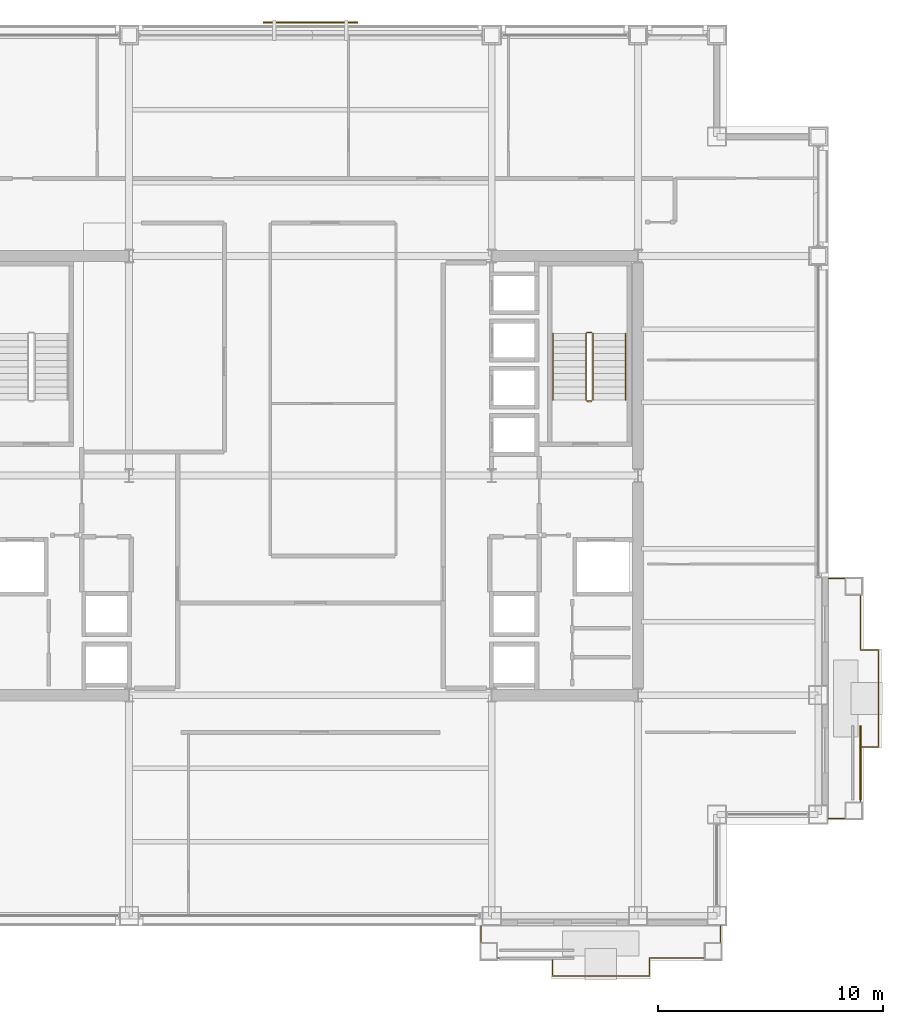
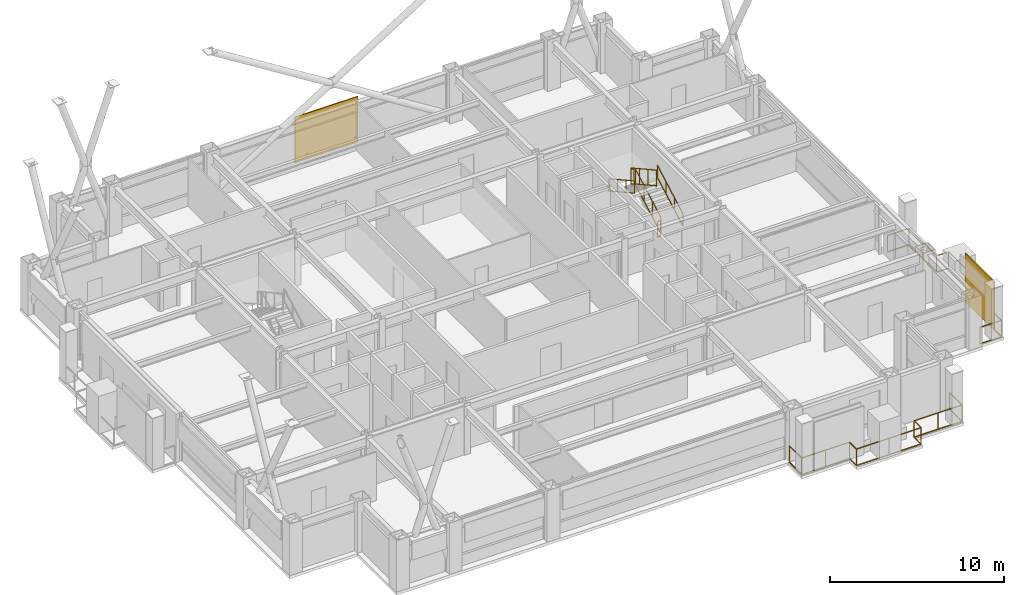
# One storey, part 31 of 32: 8 railings, 2 shading devices.
"""IFC4 building model written with IfcOpenShell, lengths in metres."""

from ifc_helpers import new_model, si_unit, direction, frame, origin, origin_2d, place, context, subcontext, project, spatial, rectangle, extrude, material, layer, layer_set, type_object, element, save


model = new_model("IFC4")

# Units and contexts
model_context = context("Model", 3, precision=1e-05, world=origin(), true_north=direction((0.0, 1.0)))
body_context = subcontext(model_context, "Body", "Model", "MODEL_VIEW")
ifc_project = project(units=[si_unit("LENGTHUNIT", "METRE"), si_unit("AREAUNIT", "SQUARE_METRE"), si_unit("VOLUMEUNIT", "CUBIC_METRE"), si_unit("PLANEANGLEUNIT", "RADIAN"), si_unit("MASSUNIT", "GRAM", prefix="KILO")], contexts=[model_context])

# Site, building, storey
site_placement = place(None, origin())
site = spatial("IfcSite", under=ifc_project, at=site_placement, CompositionType="ELEMENT")
building_placement = place(site_placement, origin())
building = spatial("IfcBuilding", under=site, at=building_placement, Name="Brelmoor Portico Tower", CompositionType="ELEMENT")
storey_placement = place(building_placement, frame((0.0, 0.0, 109.800048828125)))
storey = spatial("IfcBuildingStorey", under=building, at=storey_placement, Name="L28", CompositionType="ELEMENT", Elevation=109.800048828125)

# Railings
ifc_material_1 = material(Name="Perforated Pale Champagne Aluminium Fretwork Guard", Category="aluminium")
railing_type_1 = type_object("IfcRailingType", Name="RL-BALUSTRADE-1200", PredefinedType="BALUSTRADE", material=ifc_material_1)
railing_1_placement = place(storey_placement, frame((7.580078125, -20.0, 0.0)))
element("IfcRailing", 1, at=railing_1_placement, inside=storey, type_object=railing_type_1, Name="L28 Tree Balcony Fretwork Balustrade S", PredefinedType="BALUSTRADE", context=body_context, shape_type="SweptSolid", body=[
    extrude(rectangle(XDim=0.048095703125, YDim=0.048095703125, at=origin_2d()), frame((0.0, 0.0, 1.17578125), z_axis=(0.0, -1.0, 0.0), x_axis=(1.0, 0.0, 0.0)), (0.0, 0.0, 1.0), 1.429931640625),
    extrude(rectangle(XDim=0.048095703125, YDim=0.048095703125, at=origin_2d()), frame((0.0, 0.0, 0.02392578125), z_axis=(0.0, -1.0, 0.0), x_axis=(1.0, 0.0, 0.0)), (0.0, 0.0, 1.0), 1.429931640625),
    extrude(rectangle(XDim=0.048095703125, YDim=0.048095703125, at=origin_2d()), frame((0.0, -1.429931640625, 1.17578125), z_axis=(1.0, 0.0, 0.0), x_axis=(0.0, 1.0, 0.0)), (0.0, 0.0, 1.0), 3.169921875),
    extrude(rectangle(XDim=0.048095703125, YDim=0.048095703125, at=origin_2d()), frame((0.0, -1.429931640625, 0.02392578125), z_axis=(1.0, 0.0, 0.0), x_axis=(0.0, 1.0, 0.0)), (0.0, 0.0, 1.0), 3.169921875),
    extrude(rectangle(XDim=0.048095703125, YDim=0.048095703125, at=origin_2d()), frame((3.169921875, -1.429931640625, 1.17578125), z_axis=(0.0, -1.0, 0.0), x_axis=(1.0, 0.0, 0.0)), (0.0, 0.0, 1.0), 0.800048828125),
    extrude(rectangle(XDim=0.048095703125, YDim=0.048095703125, at=origin_2d()), frame((3.169921875, -1.429931640625, 0.02392578125), z_axis=(0.0, -1.0, 0.0), x_axis=(1.0, 0.0, 0.0)), (0.0, 0.0, 1.0), 0.800048828125),
    extrude(rectangle(XDim=0.048095703125, YDim=0.048095703125, at=origin_2d()), frame((3.169921875, -2.22998046875, 1.17578125), z_axis=(1.0, 0.0, 0.0), x_axis=(0.0, 1.0, 0.0)), (0.0, 0.0, 1.0), 4.300048828125),
    extrude(rectangle(XDim=0.048095703125, YDim=0.048095703125, at=origin_2d()), frame((3.169921875, -2.22998046875, 0.02392578125), z_axis=(1.0, 0.0, 0.0), x_axis=(0.0, 1.0, 0.0)), (0.0, 0.0, 1.0), 4.300048828125),
    extrude(rectangle(XDim=0.048095703125, YDim=0.048095703125, at=origin_2d()), frame((7.469970703125, -2.22998046875, 1.17578125), z_axis=(0.0, 1.0, 0.0), x_axis=(-1.0, 0.0, 0.0)), (0.0, 0.0, 1.0), 0.800048828125),
    extrude(rectangle(XDim=0.048095703125, YDim=0.048095703125, at=origin_2d()), frame((7.469970703125, -2.22998046875, 0.02392578125), z_axis=(0.0, 1.0, 0.0), x_axis=(-1.0, 0.0, 0.0)), (0.0, 0.0, 1.0), 0.800048828125),
    extrude(rectangle(XDim=0.048095703125, YDim=0.048095703125, at=origin_2d()), frame((7.469970703125, -1.429931640625, 1.17578125), z_axis=(1.0, 0.0, 0.0), x_axis=(0.0, 1.0, 0.0)), (0.0, 0.0, 1.0), 3.169921875),
    extrude(rectangle(XDim=0.048095703125, YDim=0.048095703125, at=origin_2d()), frame((7.469970703125, -1.429931640625, 0.02392578125), z_axis=(1.0, 0.0, 0.0), x_axis=(0.0, 1.0, 0.0)), (0.0, 0.0, 1.0), 3.169921875),
    extrude(rectangle(XDim=0.048095703125, YDim=0.048095703125, at=origin_2d()), frame((10.639892578125, -1.429931640625, 1.17578125), z_axis=(0.0, 1.0, 0.0), x_axis=(-1.0, 0.0, 0.0)), (0.0, 0.0, 1.0), 1.429931640625),
    extrude(rectangle(XDim=0.048095703125, YDim=0.048095703125, at=origin_2d()), frame((10.639892578125, -1.429931640625, 0.02392578125), z_axis=(0.0, 1.0, 0.0), x_axis=(-1.0, 0.0, 0.0)), (0.0, 0.0, 1.0), 1.429931640625),
    extrude(rectangle(XDim=0.0419921875, YDim=0.0419921875, at=origin_2d()), origin(), (0.0, 0.0, 1.0), 1.15185546875),
    extrude(rectangle(XDim=0.0419921875, YDim=0.0419921875, at=origin_2d()), frame((0.0, -1.429931640625, 0.0)), (0.0, 0.0, 1.0), 1.15185546875),
    extrude(rectangle(XDim=0.0419921875, YDim=0.0419921875, at=origin_2d()), frame((1.5849609375, -1.429931640625, 0.0)), (0.0, 0.0, 1.0), 1.15185546875),
    extrude(rectangle(XDim=0.0419921875, YDim=0.0419921875, at=origin_2d()), frame((3.169921875, -1.429931640625, 0.0)), (0.0, 0.0, 1.0), 1.15185546875),
    extrude(rectangle(XDim=0.0419921875, YDim=0.0419921875, at=origin_2d()), frame((3.169921875, -2.22998046875, 0.0)), (0.0, 0.0, 1.0), 1.15185546875),
    extrude(rectangle(XDim=0.0419921875, YDim=0.0419921875, at=origin_2d()), frame((5.31982421875, -2.22998046875, 0.0)), (0.0, 0.0, 1.0), 1.15185546875),
    extrude(rectangle(XDim=0.0419921875, YDim=0.0419921875, at=origin_2d()), frame((7.469970703125, -2.22998046875, 0.0)), (0.0, 0.0, 1.0), 1.15185546875),
    extrude(rectangle(XDim=0.0419921875, YDim=0.0419921875, at=origin_2d()), frame((7.469970703125, -1.429931640625, 0.0)), (0.0, 0.0, 1.0), 1.15185546875),
    extrude(rectangle(XDim=0.0419921875, YDim=0.0419921875, at=origin_2d()), frame((9.054931640625, -1.429931640625, 0.0)), (0.0, 0.0, 1.0), 1.15185546875),
    extrude(rectangle(XDim=0.0419921875, YDim=0.0419921875, at=origin_2d()), frame((10.639892578125, -1.429931640625, 0.0)), (0.0, 0.0, 1.0), 1.15185546875),
    extrude(rectangle(XDim=0.0419921875, YDim=0.0419921875, at=origin_2d()), frame((10.639892578125, 0.0, 0.0)), (0.0, 0.0, 1.0), 1.15185546875),
])
railing_2_placement = place(storey_placement, frame((23.0, -15.219970703125, 0.0)))
element("IfcRailing", 2, at=railing_2_placement, inside=storey, type_object=railing_type_1, Name="L28 Tree Balcony Fretwork Balustrade E", PredefinedType="BALUSTRADE", context=body_context, shape_type="SweptSolid", body=[
    extrude(rectangle(XDim=0.048095703125, YDim=0.048095703125, at=origin_2d()), frame((0.0, 0.0, 1.17578125), z_axis=(1.0, 0.0, 0.0), x_axis=(0.0, 1.0, 0.0)), (0.0, 0.0, 1.0), 1.429931640625),
    extrude(rectangle(XDim=0.048095703125, YDim=0.048095703125, at=origin_2d()), frame((0.0, 0.0, 0.02392578125), z_axis=(1.0, 0.0, 0.0), x_axis=(0.0, 1.0, 0.0)), (0.0, 0.0, 1.0), 1.429931640625),
    extrude(rectangle(XDim=0.048095703125, YDim=0.048095703125, at=origin_2d()), frame((1.429931640625, 0.0, 1.17578125), z_axis=(0.0, 1.0, 0.0), x_axis=(-1.0, 0.0, 0.0)), (0.0, 0.0, 1.0), 3.169921875),
    extrude(rectangle(XDim=0.048095703125, YDim=0.048095703125, at=origin_2d()), frame((1.429931640625, 0.0, 0.02392578125), z_axis=(0.0, 1.0, 0.0), x_axis=(-1.0, 0.0, 0.0)), (0.0, 0.0, 1.0), 3.169921875),
    extrude(rectangle(XDim=0.048095703125, YDim=0.048095703125, at=origin_2d()), frame((1.429931640625, 3.169921875, 1.17578125), z_axis=(1.0, 0.0, 0.0), x_axis=(0.0, 1.0, 0.0)), (0.0, 0.0, 1.0), 0.800048828125),
    extrude(rectangle(XDim=0.048095703125, YDim=0.048095703125, at=origin_2d()), frame((1.429931640625, 3.169921875, 0.02392578125), z_axis=(1.0, 0.0, 0.0), x_axis=(0.0, 1.0, 0.0)), (0.0, 0.0, 1.0), 0.800048828125),
    extrude(rectangle(XDim=0.048095703125, YDim=0.048095703125, at=origin_2d()), frame((2.22998046875, 3.169921875, 1.17578125), z_axis=(0.0, 1.0, 0.0), x_axis=(-1.0, 0.0, 0.0)), (0.0, 0.0, 1.0), 4.300048828125),
    extrude(rectangle(XDim=0.048095703125, YDim=0.048095703125, at=origin_2d()), frame((2.22998046875, 3.169921875, 0.02392578125), z_axis=(0.0, 1.0, 0.0), x_axis=(-1.0, 0.0, 0.0)), (0.0, 0.0, 1.0), 4.300048828125),
    extrude(rectangle(XDim=0.048095703125, YDim=0.048095703125, at=origin_2d()), frame((2.22998046875, 7.469970703125, 1.17578125), z_axis=(-1.0, 0.0, 0.0), x_axis=(0.0, -1.0, 0.0)), (0.0, 0.0, 1.0), 0.800048828125),
    extrude(rectangle(XDim=0.048095703125, YDim=0.048095703125, at=origin_2d()), frame((2.22998046875, 7.469970703125, 0.02392578125), z_axis=(-1.0, 0.0, 0.0), x_axis=(0.0, -1.0, 0.0)), (0.0, 0.0, 1.0), 0.800048828125),
    extrude(rectangle(XDim=0.048095703125, YDim=0.048095703125, at=origin_2d()), frame((1.429931640625, 7.469970703125, 1.17578125), z_axis=(0.0, 1.0, 0.0), x_axis=(-1.0, 0.0, 0.0)), (0.0, 0.0, 1.0), 3.169921875),
    extrude(rectangle(XDim=0.048095703125, YDim=0.048095703125, at=origin_2d()), frame((1.429931640625, 7.469970703125, 0.02392578125), z_axis=(0.0, 1.0, 0.0), x_axis=(-1.0, 0.0, 0.0)), (0.0, 0.0, 1.0), 3.169921875),
    extrude(rectangle(XDim=0.048095703125, YDim=0.048095703125, at=origin_2d()), frame((1.429931640625, 10.639892578125, 1.17578125), z_axis=(-1.0, 0.0, 0.0), x_axis=(0.0, -1.0, 0.0)), (0.0, 0.0, 1.0), 1.429931640625),
    extrude(rectangle(XDim=0.048095703125, YDim=0.048095703125, at=origin_2d()), frame((1.429931640625, 10.639892578125, 0.02392578125), z_axis=(-1.0, 0.0, 0.0), x_axis=(0.0, -1.0, 0.0)), (0.0, 0.0, 1.0), 1.429931640625),
    extrude(rectangle(XDim=0.0419921875, YDim=0.0419921875, at=origin_2d()), origin(), (0.0, 0.0, 1.0), 1.15185546875),
    extrude(rectangle(XDim=0.0419921875, YDim=0.0419921875, at=origin_2d()), frame((1.429931640625, 0.0, 0.0)), (0.0, 0.0, 1.0), 1.15185546875),
    extrude(rectangle(XDim=0.0419921875, YDim=0.0419921875, at=origin_2d()), frame((1.429931640625, 1.5849609375, 0.0)), (0.0, 0.0, 1.0), 1.15185546875),
    extrude(rectangle(XDim=0.0419921875, YDim=0.0419921875, at=origin_2d()), frame((1.429931640625, 3.169921875, 0.0)), (0.0, 0.0, 1.0), 1.15185546875),
    extrude(rectangle(XDim=0.0419921875, YDim=0.0419921875, at=origin_2d()), frame((2.22998046875, 3.169921875, 0.0)), (0.0, 0.0, 1.0), 1.15185546875),
    extrude(rectangle(XDim=0.0419921875, YDim=0.0419921875, at=origin_2d()), frame((2.22998046875, 5.31982421875, 0.0)), (0.0, 0.0, 1.0), 1.15185546875),
    extrude(rectangle(XDim=0.0419921875, YDim=0.0419921875, at=origin_2d()), frame((2.22998046875, 7.469970703125, 0.0)), (0.0, 0.0, 1.0), 1.15185546875),
    extrude(rectangle(XDim=0.0419921875, YDim=0.0419921875, at=origin_2d()), frame((1.429931640625, 7.469970703125, 0.0)), (0.0, 0.0, 1.0), 1.15185546875),
    extrude(rectangle(XDim=0.0419921875, YDim=0.0419921875, at=origin_2d()), frame((1.429931640625, 9.054931640625, 0.0)), (0.0, 0.0, 1.0), 1.15185546875),
    extrude(rectangle(XDim=0.0419921875, YDim=0.0419921875, at=origin_2d()), frame((1.429931640625, 10.639892578125, 0.0)), (0.0, 0.0, 1.0), 1.15185546875),
    extrude(rectangle(XDim=0.0419921875, YDim=0.0419921875, at=origin_2d()), frame((0.0, 10.639892578125, 0.0)), (0.0, 0.0, 1.0), 1.15185546875),
])
ifc_material_2 = material(Name="Painted Tubular Steel Q235B", Category="steel")
railing_type_2 = type_object("IfcRailingType", Name="RL-STAIR-GUARD", PredefinedType="GUARDRAIL", material=ifc_material_2)
railing_3_placement = place(storey_placement, frame((12.5400390625, 3.35009765625, 0.16357421875)))
element("IfcRailing", 3, at=railing_3_placement, inside=storey, type_object=railing_type_2, Name="L28 ST-E stair guard 1", PredefinedType="GUARDRAIL", context=body_context, shape_type="SweptSolid", body=[
    extrude(rectangle(XDim=0.048095703125, YDim=0.048095703125, at=origin_2d()), frame((0.0, 0.0, 1.1259765625), z_axis=(0.0, 0.874457516365, 0.485102104791), x_axis=(-1.0, 0.0, 0.0)), (0.0, 0.0, 1.0), 3.37353515625),
    extrude(rectangle(XDim=0.048095703125, YDim=0.048095703125, at=origin_2d()), frame((0.0, 0.0, 0.02392578125), z_axis=(0.0, 0.874457516365, 0.485102104791), x_axis=(-1.0, 0.0, 0.0)), (0.0, 0.0, 1.0), 3.37353515625),
    extrude(rectangle(XDim=0.0419921875, YDim=0.0419921875, at=origin_2d()), origin(), (0.0, 0.0, 1.0), 1.101806640625),
    extrude(rectangle(XDim=0.0419921875, YDim=0.0419921875, at=origin_2d()), frame((0.0, 0.9833984375, 0.54541015625)), (0.0, 0.0, 1.0), 1.101806640625),
    extrude(rectangle(XDim=0.0419921875, YDim=0.0419921875, at=origin_2d()), frame((0.0, 1.966552734375, 1.091064453125)), (0.0, 0.0, 1.0), 1.101806640625),
    extrude(rectangle(XDim=0.0419921875, YDim=0.0419921875, at=origin_2d()), frame((0.0, 2.949951171875, 1.636474609375)), (0.0, 0.0, 1.0), 1.101806640625),
])
railing_4_placement = place(storey_placement, frame((12.489990234375, 6.35009765625, 1.800048828125)))
element("IfcRailing", 4, at=railing_4_placement, inside=storey, type_object=railing_type_2, Name="L28 ST-E stair guard 2", PredefinedType="GUARDRAIL", context=body_context, shape_type="SweptSolid", body=[
    extrude(rectangle(XDim=0.048095703125, YDim=0.048095703125, at=origin_2d()), frame((0.0, 0.0, 1.1259765625), z_axis=(-1.0, 0.0, 0.0), x_axis=(0.0, -1.0, 0.0)), (0.0, 0.0, 1.0), 0.199951171875),
    extrude(rectangle(XDim=0.048095703125, YDim=0.048095703125, at=origin_2d()), frame((0.0, 0.0, 0.02392578125), z_axis=(-1.0, 0.0, 0.0), x_axis=(0.0, -1.0, 0.0)), (0.0, 0.0, 1.0), 0.199951171875),
    extrude(rectangle(XDim=0.0419921875, YDim=0.0419921875, at=origin_2d()), origin(), (0.0, 0.0, 1.0), 1.101806640625),
    extrude(rectangle(XDim=0.0419921875, YDim=0.0419921875, at=origin_2d()), frame((-0.199951171875, 0.0, 0.0)), (0.0, 0.0, 1.0), 1.101806640625),
])
railing_5_placement = place(storey_placement, frame((12.239990234375, 6.300048828125, 1.963623046875)))
element("IfcRailing", 5, at=railing_5_placement, inside=storey, type_object=railing_type_2, Name="L28 ST-E stair guard 3", PredefinedType="GUARDRAIL", context=body_context, shape_type="SweptSolid", body=[
    extrude(rectangle(XDim=0.048095703125, YDim=0.048095703125, at=origin_2d()), frame((0.0, 0.0, 1.1259765625), z_axis=(0.0, -0.87448821551, 0.485046761595), x_axis=(1.0, 0.0, 0.0)), (0.0, 0.0, 1.0), 3.373291015625),
    extrude(rectangle(XDim=0.048095703125, YDim=0.048095703125, at=origin_2d()), frame((0.0, 0.0, 0.02392578125), z_axis=(0.0, -0.87448821551, 0.485046761595), x_axis=(1.0, 0.0, 0.0)), (0.0, 0.0, 1.0), 3.373291015625),
    extrude(rectangle(XDim=0.0419921875, YDim=0.0419921875, at=origin_2d()), origin(), (0.0, 0.0, 1.0), 1.101806640625),
    extrude(rectangle(XDim=0.0419921875, YDim=0.0419921875, at=origin_2d()), frame((0.0, -0.9833984375, 0.54541015625)), (0.0, 0.0, 1.0), 1.101806640625),
    extrude(rectangle(XDim=0.0419921875, YDim=0.0419921875, at=origin_2d()), frame((0.0, -1.966552734375, 1.0908203125)), (0.0, 0.0, 1.0), 1.101806640625),
    extrude(rectangle(XDim=0.0419921875, YDim=0.0419921875, at=origin_2d()), frame((0.0, -2.949951171875, 1.63623046875)), (0.0, 0.0, 1.0), 1.101806640625),
])
railing_6_placement = place(storey_placement, frame((12.489990234375, 3.300048828125, 0.0)))
element("IfcRailing", 6, at=railing_6_placement, inside=storey, type_object=railing_type_2, Name="L28 ST-E stair guard 4", PredefinedType="GUARDRAIL", context=body_context, shape_type="SweptSolid", body=[
    extrude(rectangle(XDim=0.048095703125, YDim=0.048095703125, at=origin_2d()), frame((0.0, 0.0, 1.1259765625), z_axis=(-1.0, 0.0, 0.0), x_axis=(0.0, -1.0, 0.0)), (0.0, 0.0, 1.0), 0.199951171875),
    extrude(rectangle(XDim=0.048095703125, YDim=0.048095703125, at=origin_2d()), frame((0.0, 0.0, 0.02392578125), z_axis=(-1.0, 0.0, 0.0), x_axis=(0.0, -1.0, 0.0)), (0.0, 0.0, 1.0), 0.199951171875),
    extrude(rectangle(XDim=0.0419921875, YDim=0.0419921875, at=origin_2d()), origin(), (0.0, 0.0, 1.0), 1.101806640625),
    extrude(rectangle(XDim=0.0419921875, YDim=0.0419921875, at=origin_2d()), frame((-0.199951171875, 0.0, 0.0)), (0.0, 0.0, 1.0), 1.101806640625),
])
ifc_material_3 = material(Name="Brushed Stainless Steel 304", Category="steel")
railing_type_3 = type_object("IfcRailingType", Name="RL-STAIR-HANDRAIL", PredefinedType="HANDRAIL", material=ifc_material_3)
railing_7_placement = place(storey_placement, frame((14.0, 3.35009765625, 0.16357421875)))
element("IfcRailing", 7, at=railing_7_placement, inside=storey, type_object=railing_type_3, Name="L28 ST-E stair handrail 1", PredefinedType="HANDRAIL", context=body_context, shape_type="SweptSolid", body=[
    extrude(rectangle(XDim=0.048095703125, YDim=0.048095703125, at=origin_2d()), frame((0.0, 0.0, 0.8759765625), z_axis=(0.0, 0.874457516365, 0.485102104791), x_axis=(-1.0, 0.0, 0.0)), (0.0, 0.0, 1.0), 3.37353515625),
    extrude(rectangle(XDim=0.048095703125, YDim=0.048095703125, at=origin_2d()), frame((0.0, 0.0, 0.02392578125), z_axis=(0.0, 0.874457516365, 0.485102104791), x_axis=(-1.0, 0.0, 0.0)), (0.0, 0.0, 1.0), 3.37353515625),
    extrude(rectangle(XDim=0.0419921875, YDim=0.0419921875, at=origin_2d()), origin(), (0.0, 0.0, 1.0), 0.851806640625),
    extrude(rectangle(XDim=0.0419921875, YDim=0.0419921875, at=origin_2d()), frame((0.0, 0.9833984375, 0.54541015625)), (0.0, 0.0, 1.0), 0.851806640625),
    extrude(rectangle(XDim=0.0419921875, YDim=0.0419921875, at=origin_2d()), frame((0.0, 1.966552734375, 1.091064453125)), (0.0, 0.0, 1.0), 0.851806640625),
    extrude(rectangle(XDim=0.0419921875, YDim=0.0419921875, at=origin_2d()), frame((0.0, 2.949951171875, 1.636474609375)), (0.0, 0.0, 1.0), 0.851806640625),
])
railing_8_placement = place(storey_placement, frame((10.780029296875, 6.300048828125, 1.963623046875)))
element("IfcRailing", 8, at=railing_8_placement, inside=storey, type_object=railing_type_3, Name="L28 ST-E stair handrail 2", PredefinedType="HANDRAIL", context=body_context, shape_type="SweptSolid", body=[
    extrude(rectangle(XDim=0.048095703125, YDim=0.048095703125, at=origin_2d()), frame((0.0, 0.0, 0.8759765625), z_axis=(0.0, -0.87448821551, 0.485046761595), x_axis=(1.0, 0.0, 0.0)), (0.0, 0.0, 1.0), 3.373291015625),
    extrude(rectangle(XDim=0.048095703125, YDim=0.048095703125, at=origin_2d()), frame((0.0, 0.0, 0.02392578125), z_axis=(0.0, -0.87448821551, 0.485046761595), x_axis=(1.0, 0.0, 0.0)), (0.0, 0.0, 1.0), 3.373291015625),
    extrude(rectangle(XDim=0.0419921875, YDim=0.0419921875, at=origin_2d()), origin(), (0.0, 0.0, 1.0), 0.851806640625),
    extrude(rectangle(XDim=0.0419921875, YDim=0.0419921875, at=origin_2d()), frame((0.0, -0.9833984375, 0.54541015625)), (0.0, 0.0, 1.0), 0.851806640625),
    extrude(rectangle(XDim=0.0419921875, YDim=0.0419921875, at=origin_2d()), frame((0.0, -1.966552734375, 1.0908203125)), (0.0, 0.0, 1.0), 0.851806640625),
    extrude(rectangle(XDim=0.0419921875, YDim=0.0419921875, at=origin_2d()), frame((0.0, -2.949951171875, 1.63623046875)), (0.0, 0.0, 1.0), 0.851806640625),
])

# Shading devices
ifc_material_4 = material(Name="Powder-Coated Aluminium Shuttered Jalousie", Category="aluminium")
ifc_layer_1 = layer(ifc_material_4, 0.080078125)
ifc_layer_set_1 = layer_set([ifc_layer_1], Name="Powder-Coated Aluminium Shuttered Jalousie")
shading_device_type_1 = type_object("IfcShadingDeviceType", Name="SD-JALOUSIE-LOGGIA", PredefinedType="JALOUSIE", material=ifc_layer_set_1)
shading_device_1_placement = place(storey_placement, frame((24.429931640625, -12.75, 0.0), z_axis=(0.0, 0.0, 1.0), x_axis=(0.0, 1.0, 0.0)))
element("IfcShadingDevice", 9, at=shading_device_1_placement, inside=storey, type_object=shading_device_type_1, Name="L28 Loggia Shuttered Jalousie E", PredefinedType="JALOUSIE", context=body_context, shape_type="SweptSolid", body=[
    extrude(rectangle(XDim=3.300048828125, YDim=0.080078125, at=origin_2d()), origin(), (0.0, 0.0, 1.0), 3.39990234375),
])
ifc_material_5 = material(Name="Perforated Pale Champagne Aluminium Solar Screen", Category="aluminium")
ifc_layer_2 = layer(ifc_material_5, 0.06494140625)
ifc_layer_set_2 = layer_set([ifc_layer_2], Name="Perforated Pale Champagne Aluminium Solar Screen")
shading_device_type_2 = type_object("IfcShadingDeviceType", Name="SD-SOLAR-SCREEN", PredefinedType="USERDEFINED", material=ifc_layer_set_2)
shading_device_2_placement = place(storey_placement, frame((0.0, 20.1201171875, 0.10009765625), z_axis=(0.0, 0.0, 1.0), x_axis=(1.0, 0.0, 0.0)))
element("IfcShadingDevice", 10, at=shading_device_2_placement, inside=storey, type_object=shading_device_type_2, Name="L28 Perforated Solar Screen N1", ObjectType="SCREEN", PredefinedType="USERDEFINED", context=body_context, shape_type="SweptSolid", body=[
    extrude(rectangle(XDim=4.199951171875, YDim=0.06494140625, at=origin_2d()), origin(), (0.0, 0.0, 1.0), 3.199951171875),
])

save(model, "model.ifc")
